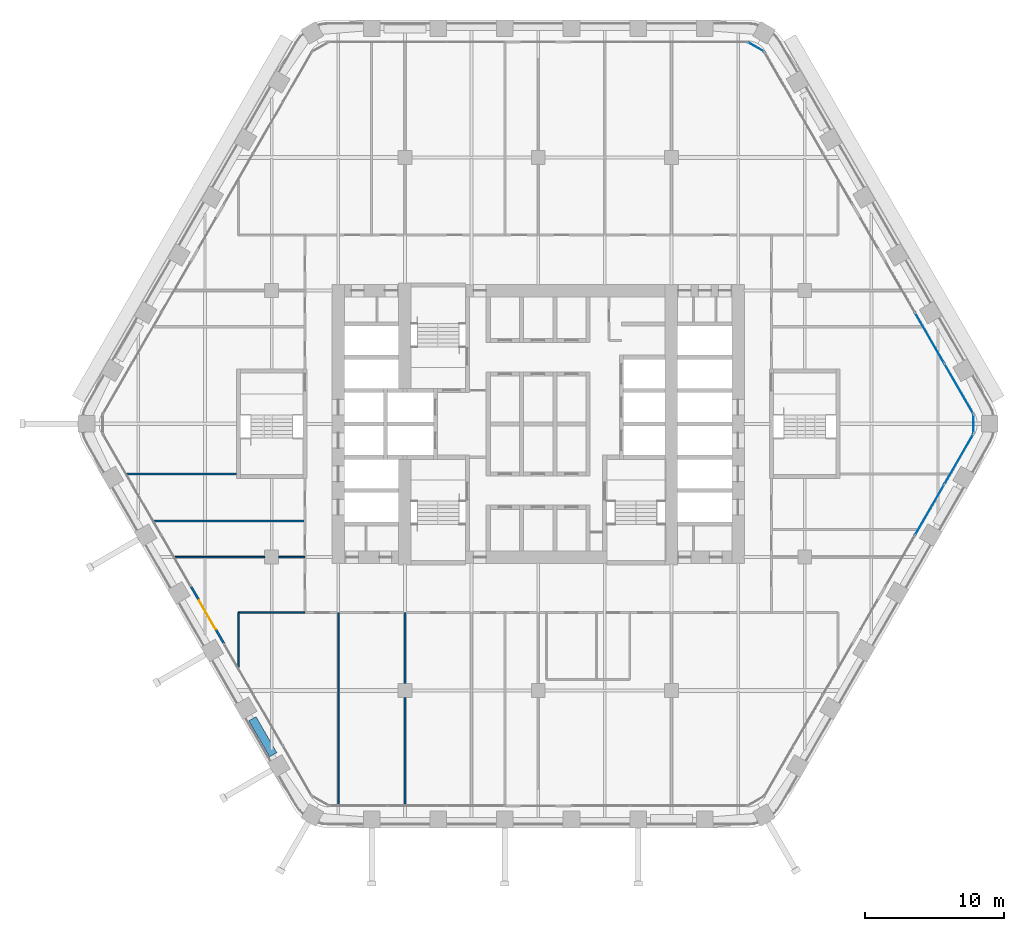
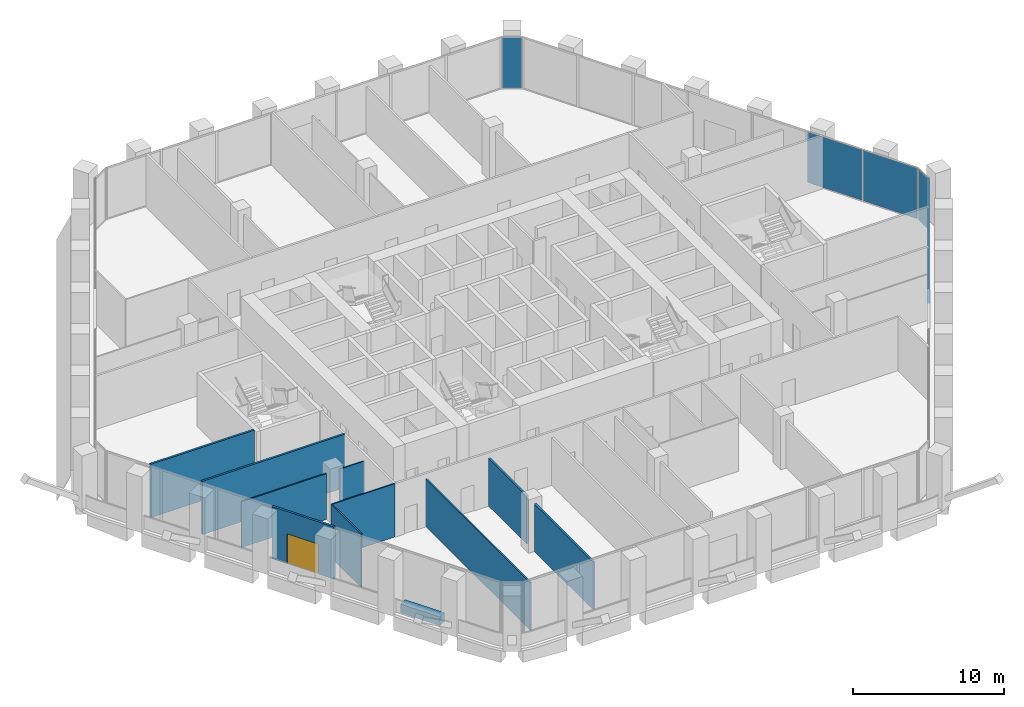
# One storey, part 14 of 26: 11 walls, 6 plates, 1 door, 1 opening, 4 elements without a shape of their own.
"""IFC4 building model written with IfcOpenShell, lengths in metres."""

from ifc_helpers import new_model, si_unit, direction, frame, frame_2d, origin, origin_2d, place, context, subcontext, project, spatial, rectangle, extrude, material, layer, layer_set, type_object, element, fill, aggregate, save


model = new_model("IFC4")

# Units and contexts
model_context = context("Model", 3, precision=1e-05, world=origin(), true_north=direction((0.0, 1.0)))
body_context = subcontext(model_context, "Body", "Model", "MODEL_VIEW")
ifc_project = project(units=[si_unit("LENGTHUNIT", "METRE"), si_unit("AREAUNIT", "SQUARE_METRE"), si_unit("VOLUMEUNIT", "CUBIC_METRE"), si_unit("PLANEANGLEUNIT", "RADIAN"), si_unit("MASSUNIT", "GRAM", prefix="KILO")], contexts=[model_context])

# Site, building, storey
site_placement = place(None, origin())
site = spatial("IfcSite", under=ifc_project, at=site_placement, CompositionType="ELEMENT")
building_placement = place(site_placement, origin())
building = spatial("IfcBuilding", under=site, at=building_placement, Name="Kolab Exchange Tower", CompositionType="ELEMENT")
storey_placement = place(building_placement, frame((0.0, 0.0, 104.89990234375)))
storey = spatial("IfcBuildingStorey", under=building, at=storey_placement, Name="L20", CompositionType="ELEMENT", Elevation=104.89990234375)

# Curtain wall, plates
ifc_material_1 = material(Name="Aluminium EN AW-6063 T6", Category="aluminium")
curtain_wall_type = type_object("IfcCurtainWallType", Name="UNITISED LOWER MID ZONE CURTAIN WALL", PredefinedType="NOTDEFINED", material=ifc_material_1)
curtain_wall_1_placement = place(storey_placement, origin())
curtain_wall_1 = element("IfcCurtainWall", 1, at=curtain_wall_1_placement, inside=storey, type_object=curtain_wall_type, Name="cw/L20/F2-2", PredefinedType="NOTDEFINED")
ifc_material_2 = material(Name="Clear insulated glazing unit", Category="glass")
ifc_layer_1 = layer(ifc_material_2, 0.02587890625)
ifc_layer_set_1 = layer_set([ifc_layer_1], Name="Clear insulated glazing unit")
plate_type = type_object("IfcPlateType", Name="UNITISED LOWER MID ZONE GLASS PANEL 26", PredefinedType="CURTAIN_PANEL", material=ifc_layer_set_1)
plate_1_placement = place(storey_placement, frame((28.19873046875, 6.1953125, 0.06005859375), z_axis=(0.0, 0.0, 1.0), x_axis=(0.499999958358, -0.866025427826, 0.0)))
plate_1 = element("IfcPlate", 2, at=plate_1_placement, type_object=plate_type, Name="CW2 panel 2.1", PredefinedType="CURTAIN_PANEL", context=body_context, shape_type="SweptSolid", body=[
    extrude(rectangle(XDim=4.16259765625, YDim=0.02587890625, at=origin_2d()), origin(), (0.0, 0.0, 1.0), 4.080078125),
])
plate_2_placement = place(storey_placement, frame((30.302490234375, 2.551513671875, 0.06005859375), z_axis=(0.0, 0.0, 1.0), x_axis=(0.499999958358, -0.866025427826, 0.0)))
plate_2 = element("IfcPlate", 3, at=plate_2_placement, type_object=plate_type, Name="CW2 panel 3.1", PredefinedType="CURTAIN_PANEL", context=body_context, shape_type="SweptSolid", body=[
    extrude(rectangle(XDim=4.132568359375, YDim=0.02587890625, at=origin_2d()), origin(), (0.0, 0.0, 1.0), 4.080078125),
])
aggregate(curtain_wall_1, [plate_1, plate_2])

curtain_wall_2_placement = place(storey_placement, origin())
curtain_wall_2 = element("IfcCurtainWall", 4, at=curtain_wall_2_placement, inside=storey, type_object=curtain_wall_type, Name="cw/L20/F3-1", PredefinedType="NOTDEFINED")
plate_3_placement = place(storey_placement, frame((30.302490234375, -2.551513671875, 0.06005859375), z_axis=(0.0, 0.0, 1.0), x_axis=(-0.499999958358, -0.866025427826, 0.0)))
plate_3 = element("IfcPlate", 5, at=plate_3_placement, type_object=plate_type, Name="CW2 panel 1.1", PredefinedType="CURTAIN_PANEL", context=body_context, shape_type="SweptSolid", body=[
    extrude(rectangle(XDim=4.132568359375, YDim=0.02587890625, at=origin_2d()), origin(), (0.0, 0.0, 1.0), 4.080078125),
])
plate_4_placement = place(storey_placement, frame((28.19873046875, -6.1953125, 0.06005859375), z_axis=(0.0, 0.0, 1.0), x_axis=(-0.499999958358, -0.866025427826, 0.0)))
plate_4 = element("IfcPlate", 6, at=plate_4_placement, type_object=plate_type, Name="CW2 panel 2.1", PredefinedType="CURTAIN_PANEL", context=body_context, shape_type="SweptSolid", body=[
    extrude(rectangle(XDim=4.16259765625, YDim=0.02587890625, at=origin_2d()), origin(), (0.0, 0.0, 1.0), 4.080078125),
])
aggregate(curtain_wall_2, [plate_3, plate_4])

# Curtain wall, plate
curtain_wall_3_placement = place(storey_placement, origin())
curtain_wall_3 = element("IfcCurtainWall", 7, at=curtain_wall_3_placement, inside=storey, type_object=curtain_wall_type, Name="cw/L20/F1F2-corner", PredefinedType="NOTDEFINED")
plate_5_placement = place(storey_placement, frame((15.682861328125, 27.16357421875, 0.06005859375), z_axis=(0.0, 0.0, 1.0), x_axis=(0.866025390869, -0.50000002237, 0.0)))
plate_5 = element("IfcPlate", 8, at=plate_5_placement, type_object=plate_type, Name="CW2 panel 1.1", PredefinedType="CURTAIN_PANEL", context=body_context, shape_type="SweptSolid", body=[
    extrude(rectangle(XDim=1.300048828125, YDim=0.02587890625, at=origin_2d()), origin(), (0.0, 0.0, 1.0), 4.080078125),
])
aggregate(curtain_wall_3, [plate_5])

curtain_wall_4_placement = place(storey_placement, origin())
curtain_wall_4 = element("IfcCurtainWall", 9, at=curtain_wall_4_placement, inside=storey, type_object=curtain_wall_type, Name="cw/L20/F2F3-corner", PredefinedType="NOTDEFINED")
plate_6_placement = place(storey_placement, frame((31.36572265625, 0.0, 0.06005859375), z_axis=(0.0, 0.0, 1.0), x_axis=(0.0, -1.0, 0.0)))
plate_6 = element("IfcPlate", 10, at=plate_6_placement, type_object=plate_type, Name="CW2 panel 1.1", PredefinedType="CURTAIN_PANEL", context=body_context, shape_type="SweptSolid", body=[
    extrude(rectangle(XDim=1.300048828125, YDim=0.02587890625, at=origin_2d()), origin(), (0.0, 0.0, 1.0), 4.080078125),
])
aggregate(curtain_wall_4, [plate_6])

# Wall, opening, door
ifc_layer_2 = layer(ifc_material_1, 0.159912109375)
ifc_layer_set_2 = layer_set([ifc_layer_2], Name="Aluminium EN AW-6063 T6")
wall_type_1 = type_object("IfcWallType", Name="DOOR SURROUND WALL 160 ALUMINIUM FRAMED", PredefinedType="PARTITIONING", material=ifc_layer_set_2)
wall_1_placement = place(storey_placement, frame((-22.646728515625, -15.811767578125, 0.0), z_axis=(0.0, 0.0, 1.0), x_axis=(-0.499978080042, 0.866038058908, 0.0)))
wall_1 = element("IfcWall", 11, at=wall_1_placement, inside=storey, type_object=wall_type_1, Name="Door surround wall", PredefinedType="PARTITIONING", context=body_context, shape_type="SweptSolid", body=[
    extrude(rectangle(XDim=4.739990234375, YDim=0.159912109375, at=frame_2d((2.3701171875, 0.0))), origin(), (0.0, 0.0, 1.0), 4.2001953125),
])
opening_placement = place(wall_1_placement, frame((1.169921875, 0.0, 0.0)))
opening = element("IfcOpeningElement", 12, at=opening_placement, cuts=wall_1, Name="Opening GD1-047", PredefinedType="OPENING", context=body_context, shape_type="SweptSolid", body=[
    extrude(rectangle(XDim=2.39990234375, YDim=2.39990234375, at=frame_2d((1.199951171875, 1.199951171875))), frame((0.0, 0.08984375, 0.0), z_axis=(0.0, -1.0, 0.0), x_axis=(1.0, 0.0, 0.0)), (0.0, 0.0, 1.0), 0.179931640625),
])
door_type = type_object("IfcDoorType", Name="LOGGIA SLIDING GLASS DOOR 2400 X 2400", OperationType="DOUBLE_DOOR_SINGLE_SWING", PredefinedType="DOOR", material=ifc_material_1)
door_placement = place(opening_placement, origin())
door = element("IfcDoor", 13, at=door_placement, inside=storey, type_object=door_type, Name="Loggia door", OperationType="DOUBLE_DOOR_SLIDING", OverallHeight=2.39990234375, OverallWidth=2.39990234375, PredefinedType="DOOR", context=body_context, shape_type="SweptSolid", body=[
    extrude(rectangle(XDim=2.39990234375, YDim=2.39990234375, at=frame_2d((1.199951171875, 1.199951171875))), frame((0.0, 0.02490234375, 0.0), z_axis=(0.0, -1.0, 0.0), x_axis=(1.0, 0.0, 0.0)), (0.0, 0.0, 1.0), 0.050048828125),
])
fill(opening, door)

# Walls
ifc_material_3 = material(Name="Gypsum board", Category="gypsum")
ifc_layer_3 = layer(ifc_material_3, 0.10009765625)
ifc_layer_set_3 = layer_set([ifc_layer_3], Name="Gypsum board")
wall_type_2 = type_object("IfcWallType", Name="PARTITION 100", PredefinedType="PARTITIONING", material=ifc_layer_set_3)
wall_2_placement = place(storey_placement, frame((-14.39990234375, -27.428466796875, 0.0), z_axis=(0.0, 0.0, 1.0), x_axis=(0.0, 1.0, 0.0)))
element("IfcWall", 14, at=wall_2_placement, inside=storey, type_object=wall_type_2, Name="Partition 030", PredefinedType="PARTITIONING", context=body_context, shape_type="SweptSolid", body=[
    extrude(rectangle(XDim=13.828369140625, YDim=0.10009765625, at=frame_2d((6.9140625, 0.0))), origin(), (0.0, 0.0, 1.0), 3.843017578125),
])
wall_3_placement = place(storey_placement, frame((-21.60009765625, -17.544677734375, 0.0), z_axis=(0.0, 0.0, 1.0), x_axis=(0.0, 1.0, 0.0)))
element("IfcWall", 15, at=wall_3_placement, inside=storey, type_object=wall_type_2, Name="Partition 033", PredefinedType="PARTITIONING", context=body_context, shape_type="SweptSolid", body=[
    extrude(rectangle(XDim=3.944580078125, YDim=0.10009765625, at=frame_2d((1.97216796875, 0.0))), origin(), (0.0, 0.0, 1.0), 4.300048828125),
])
wall_4_placement = place(storey_placement, frame((-21.60009765625, -13.60009765625, 0.0), z_axis=(0.0, 0.0, 1.0), x_axis=(1.0, 0.0, 0.0)))
element("IfcWall", 16, at=wall_4_placement, inside=storey, type_object=wall_type_2, Name="Partition 036", PredefinedType="PARTITIONING", context=body_context, shape_type="SweptSolid", body=[
    extrude(rectangle(XDim=4.800048828125, YDim=0.10009765625, at=frame_2d((2.39990234375, 0.0))), origin(), (0.0, 0.0, 1.0), 4.300048828125),
])
wall_5_placement = place(storey_placement, frame((-26.186767578125, -9.60009765625, 0.0), z_axis=(0.0, 0.0, 1.0), x_axis=(1.0, 0.0, 0.0)))
element("IfcWall", 17, at=wall_5_placement, inside=storey, type_object=wall_type_2, Name="Partition 038", PredefinedType="PARTITIONING", context=body_context, shape_type="SweptSolid", body=[
    extrude(rectangle(XDim=6.48681640625, YDim=0.10009765625, at=frame_2d((3.243408203125, 0.0))), origin(), (0.0, 0.0, 1.0), 3.692138671875),
])
wall_6_placement = place(storey_placement, frame((-18.699951171875, -9.60009765625, 0.0), z_axis=(0.0, 0.0, 1.0), x_axis=(1.0, 0.0, 0.0)))
element("IfcWall", 18, at=wall_6_placement, inside=storey, type_object=wall_type_2, Name="Partition 039", PredefinedType="PARTITIONING", context=body_context, shape_type="SweptSolid", body=[
    extrude(rectangle(XDim=1.89990234375, YDim=0.10009765625, at=frame_2d((0.949951171875, 0.0))), origin(), (0.0, 0.0, 1.0), 3.692138671875),
])
ifc_layer_4 = layer(ifc_material_3, 0.14990234375)
ifc_layer_set_4 = layer_set([ifc_layer_4], Name="Gypsum board")
wall_type_3 = type_object("IfcWallType", Name="PARTITION 150 FIRE-RATED", PredefinedType="PARTITIONING", material=ifc_layer_set_4)
wall_7_placement = place(storey_placement, frame((-9.60009765625, -27.428466796875, 0.0), z_axis=(0.0, 0.0, 1.0), x_axis=(0.0, 1.0, 0.0)))
element("IfcWall", 19, at=wall_7_placement, inside=storey, type_object=wall_type_3, Name="Partition 023", PredefinedType="PARTITIONING", context=body_context, shape_type="SweptSolid", body=[
    extrude(rectangle(XDim=7.728515625, YDim=0.14990234375, at=frame_2d((3.8642578125, 0.0))), origin(), (0.0, 0.0, 1.0), 3.843017578125),
])
wall_8_placement = place(storey_placement, frame((-9.60009765625, -18.699951171875, 0.0), z_axis=(0.0, 0.0, 1.0), x_axis=(0.0, 1.0, 0.0)))
element("IfcWall", 20, at=wall_8_placement, inside=storey, type_object=wall_type_3, Name="Partition 024", PredefinedType="PARTITIONING", context=body_context, shape_type="SweptSolid", body=[
    extrude(rectangle(XDim=5.099853515625, YDim=0.14990234375, at=frame_2d((2.5498046875, 0.0))), origin(), (0.0, 0.0, 1.0), 3.843017578125),
])
wall_9_placement = place(storey_placement, frame((-27.68798828125, -7.0, 0.0), z_axis=(0.0, 0.0, 1.0), x_axis=(1.0, 0.0, 0.0)))
element("IfcWall", 21, at=wall_9_placement, inside=storey, type_object=wall_type_3, Name="Partition 044", PredefinedType="PARTITIONING", context=body_context, shape_type="SweptSolid", body=[
    extrude(rectangle(XDim=10.887939453125, YDim=0.14990234375, at=frame_2d((5.44384765625, 0.0))), origin(), (0.0, 0.0, 1.0), 4.300048828125),
])
wall_10_placement = place(storey_placement, frame((-29.65087890625, -3.60009765625, 0.0), z_axis=(0.0, 0.0, 1.0), x_axis=(1.0, 0.0, 0.0)))
element("IfcWall", 22, at=wall_10_placement, inside=storey, type_object=wall_type_3, Name="Partition 045", PredefinedType="PARTITIONING", context=body_context, shape_type="SweptSolid", body=[
    extrude(rectangle(XDim=7.90087890625, YDim=0.14990234375, at=frame_2d((3.950439453125, 0.0))), origin(), (0.0, 0.0, 1.0), 4.300048828125),
])
ifc_material_4 = material(Name="Granite facing", Category="masonry")
ifc_layer_5 = layer(ifc_material_4, 0.0400390625)
ifc_material_5 = material(Name="Concrete C40/50 precast", Category="concrete")
ifc_layer_6 = layer(ifc_material_5, 0.56005859375)
ifc_layer_set_5 = layer_set([ifc_layer_5, ifc_layer_6], Name="Concrete C40/50 precast")
wall_type_4 = type_object("IfcWallType", Name="PLANTER BOX 600 X 700 SOIL DEPTH 550", PredefinedType="USERDEFINED", material=ifc_layer_set_5)
wall_11_placement = place(storey_placement, frame((-19.087158203125, -23.837158203125, 0.0), z_axis=(0.0, 0.0, 1.0), x_axis=(-0.499990139034, 0.866031096941, 0.0)))
element("IfcWall", 23, at=wall_11_placement, inside=storey, type_object=wall_type_4, Name="Planter", ObjectType="PLANTER", PredefinedType="USERDEFINED", context=body_context, shape_type="SweptSolid", body=[
    extrude(rectangle(XDim=3.0, YDim=0.60009765625, at=frame_2d((1.5, 0.0))), origin(), (0.0, 0.0, 1.0), 0.7001953125),
])

save(model, "model.ifc")
